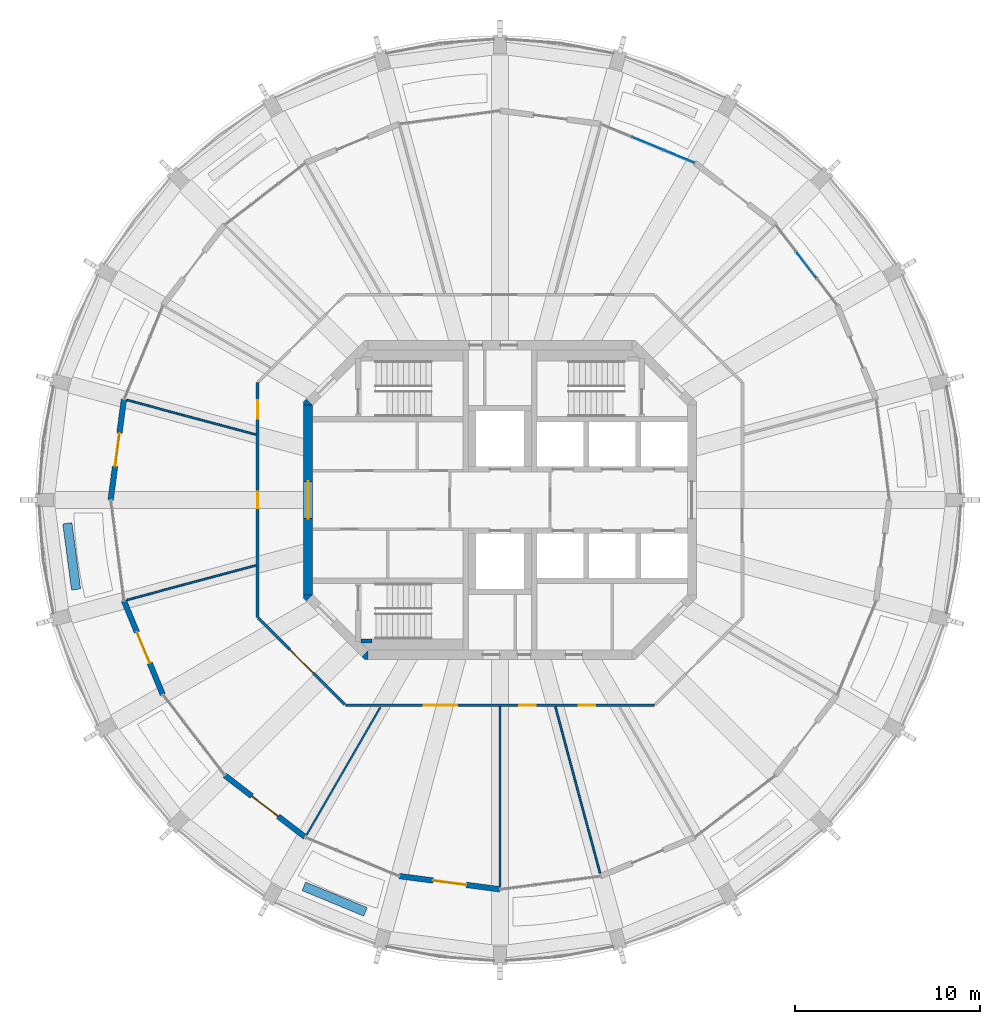
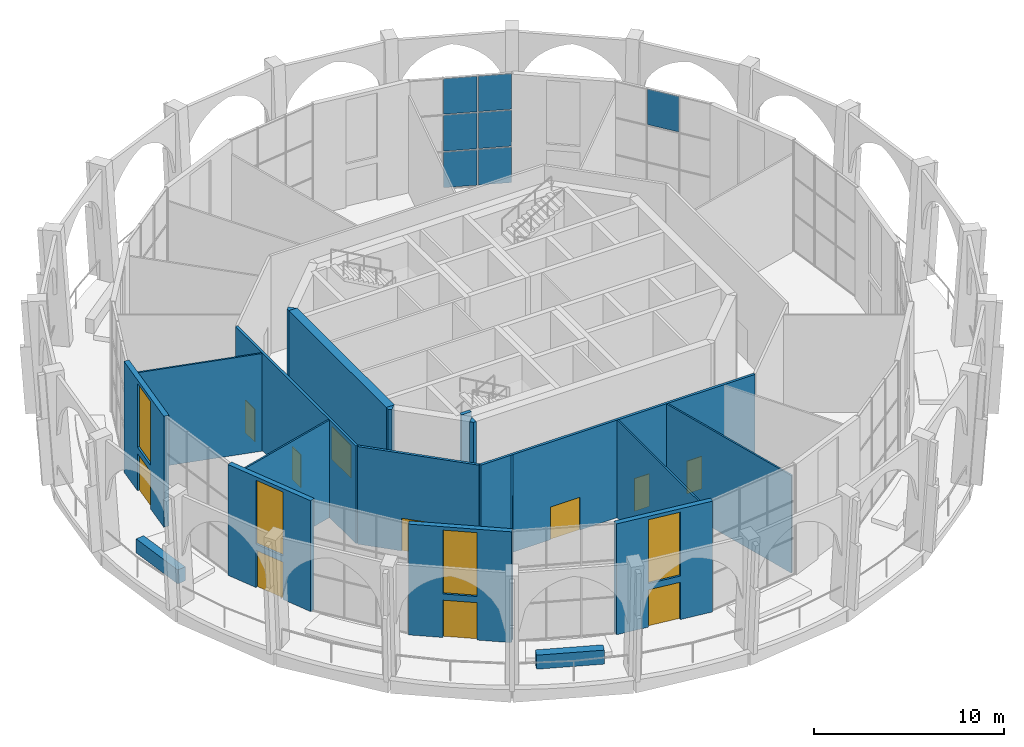
# One storey, part 10 of 17: 19 walls, 11 doors, 7 plates, 4 windows, 15 openings, 2 elements without a shape of their own.
"""IFC4 building model written with IfcOpenShell, lengths in metres."""

from ifc_helpers import new_model, si_unit, direction, frame, frame_2d, origin, origin_2d, place, context, subcontext, project, spatial, polyline, rectangle, outline, extrude, material, layer, layer_set, type_object, element, fill, aggregate, save


model = new_model("IFC4")

# Units and contexts
model_context = context("Model", 3, precision=1e-05, world=origin(), true_north=direction((0.0, 1.0)))
body_context = subcontext(model_context, "Body", "Model", "MODEL_VIEW")
ifc_project = project(units=[si_unit("LENGTHUNIT", "METRE"), si_unit("AREAUNIT", "SQUARE_METRE"), si_unit("VOLUMEUNIT", "CUBIC_METRE"), si_unit("PLANEANGLEUNIT", "RADIAN"), si_unit("MASSUNIT", "GRAM", prefix="KILO")], contexts=[model_context])

# Site, building, storey
site_placement = place(None, origin())
site = spatial("IfcSite", under=ifc_project, at=site_placement, CompositionType="ELEMENT")
building_placement = place(site_placement, origin())
building = spatial("IfcBuilding", under=site, at=building_placement, Name="Torre Triforio", CompositionType="ELEMENT")
storey_placement = place(building_placement, frame((0.0, 0.0, 276.0)))
storey = spatial("IfcBuildingStorey", under=building, at=storey_placement, Name="L64", CompositionType="ELEMENT", Elevation=276.0)

# Curtain wall, plate
ifc_material_1 = material(Name="Aluminium mullion and transom frame with clear laminated glass", Category="aluminium")
curtain_wall_type = type_object("IfcCurtainWallType", Name="Sky garden conservatory wall ECW3", PredefinedType="NOTDEFINED", material=ifc_material_1)
curtain_wall_1_placement = place(storey_placement, origin())
curtain_wall_1 = element("IfcCurtainWall", 1, at=curtain_wall_1_placement, inside=storey, type_object=curtain_wall_type, Name="Conservatory wall L64 bay 03", PredefinedType="NOTDEFINED")
ifc_material_2 = material(Name="Clear laminated glass", Category="glass")
ifc_layer_1 = layer(ifc_material_2, 0.028076171875)
ifc_layer_set_1 = layer_set([ifc_layer_1], Name="Clear laminated glass")
plate_type = type_object("IfcPlateType", Name="ECW3 glass panel 28", PredefinedType="CURTAIN_PANEL", material=ifc_layer_set_1)
plate_1_placement = place(storey_placement, frame((16.517822265625, 12.674560546875, 4.77685546875), z_axis=(0.0, 0.0, 1.0), x_axis=(-0.608763325538, 0.793351885029, 0.0)))
plate_1 = element("IfcPlate", 2, at=plate_1_placement, type_object=plate_type, Name="ECW3 panel 2.3", PredefinedType="CURTAIN_PANEL", context=body_context, shape_type="SweptSolid", body=[
    extrude(rectangle(XDim=1.787353515625, YDim=0.028076171875, at=origin_2d()), origin(), (0.0, 0.0, 1.0), 2.283203125),
])
aggregate(curtain_wall_1, [plate_1])

# Curtain wall, plates
curtain_wall_2_placement = place(storey_placement, origin())
curtain_wall_2 = element("IfcCurtainWall", 3, at=curtain_wall_2_placement, inside=storey, type_object=curtain_wall_type, Name="Conservatory wall L64 bay 05", PredefinedType="NOTDEFINED")
plate_2_placement = place(storey_placement, frame((9.660400390625, 18.534423828125, 0.06005859375), z_axis=(0.0, 0.0, 1.0), x_axis=(-0.923883122974, 0.382674764107, 0.0)))
plate_2 = element("IfcPlate", 4, at=plate_2_placement, type_object=plate_type, Name="ECW3 panel 1.1", PredefinedType="CURTAIN_PANEL", context=body_context, shape_type="SweptSolid", body=[
    extrude(rectangle(XDim=1.75732421875, YDim=0.028076171875, at=origin_2d()), origin(), (0.0, 0.0, 1.0), 2.283203125),
])
plate_3_placement = place(storey_placement, frame((9.660400390625, 18.534423828125, 2.4033203125), z_axis=(0.0, 0.0, 1.0), x_axis=(-0.923883122974, 0.382674764107, 0.0)))
plate_3 = element("IfcPlate", 5, at=plate_3_placement, type_object=plate_type, Name="ECW3 panel 1.2", PredefinedType="CURTAIN_PANEL", context=body_context, shape_type="SweptSolid", body=[
    extrude(rectangle(XDim=1.75732421875, YDim=0.028076171875, at=origin_2d()), origin(), (0.0, 0.0, 1.0), 2.3134765625),
])
plate_4_placement = place(storey_placement, frame((9.660400390625, 18.534423828125, 4.77685546875), z_axis=(0.0, 0.0, 1.0), x_axis=(-0.923883122974, 0.382674764107, 0.0)))
plate_4 = element("IfcPlate", 6, at=plate_4_placement, type_object=plate_type, Name="ECW3 panel 1.3", PredefinedType="CURTAIN_PANEL", context=body_context, shape_type="SweptSolid", body=[
    extrude(rectangle(XDim=1.75732421875, YDim=0.028076171875, at=origin_2d()), origin(), (0.0, 0.0, 1.0), 2.283203125),
])
plate_5_placement = place(storey_placement, frame((7.967529296875, 19.235595703125, 0.06005859375), z_axis=(0.0, 0.0, 1.0), x_axis=(-0.923883122974, 0.382674764107, 0.0)))
plate_5 = element("IfcPlate", 7, at=plate_5_placement, type_object=plate_type, Name="ECW3 panel 2.1", PredefinedType="CURTAIN_PANEL", context=body_context, shape_type="SweptSolid", body=[
    extrude(rectangle(XDim=1.787353515625, YDim=0.028076171875, at=origin_2d()), origin(), (0.0, 0.0, 1.0), 2.283203125),
])
plate_6_placement = place(storey_placement, frame((7.967529296875, 19.235595703125, 2.4033203125), z_axis=(0.0, 0.0, 1.0), x_axis=(-0.923883122974, 0.382674764107, 0.0)))
plate_6 = element("IfcPlate", 8, at=plate_6_placement, type_object=plate_type, Name="ECW3 panel 2.2", PredefinedType="CURTAIN_PANEL", context=body_context, shape_type="SweptSolid", body=[
    extrude(rectangle(XDim=1.787353515625, YDim=0.028076171875, at=origin_2d()), origin(), (0.0, 0.0, 1.0), 2.3134765625),
])
plate_7_placement = place(storey_placement, frame((7.967529296875, 19.235595703125, 4.77685546875), z_axis=(0.0, 0.0, 1.0), x_axis=(-0.923883122974, 0.382674764107, 0.0)))
plate_7 = element("IfcPlate", 9, at=plate_7_placement, type_object=plate_type, Name="ECW3 panel 2.3", PredefinedType="CURTAIN_PANEL", context=body_context, shape_type="SweptSolid", body=[
    extrude(rectangle(XDim=1.787353515625, YDim=0.028076171875, at=origin_2d()), origin(), (0.0, 0.0, 1.0), 2.283203125),
])
aggregate(curtain_wall_2, [plate_2, plate_3, plate_4, plate_5, plate_6, plate_7])

# Wall, opening, door
ifc_material_3 = material(Name="Concrete C40", Category="concrete")
ifc_layer_2 = layer(ifc_material_3, 0.5)
ifc_layer_set_2 = layer_set([ifc_layer_2], Name="Concrete C40")
wall_type_1 = type_object("IfcWallType", Name="Core wall 500 mm C40 EI 120", PredefinedType="SHEAR", material=ifc_layer_set_2)
wall_1_placement = place(storey_placement, frame((-10.35009765625, -5.1298828125, -0.280029296875), z_axis=(0.0, 0.0, 1.0), x_axis=(0.0, 1.0, 0.0)))
wall_1 = element("IfcWall", 10, at=wall_1_placement, inside=storey, type_object=wall_type_1, Name="Core wall", PredefinedType="SHEAR", context=body_context, shape_type="SweptSolid", body=[
    extrude(rectangle(XDim=10.259765625, YDim=0.5, at=frame_2d((5.1298828125, 0.0))), origin(), (0.0, 0.0, 1.0), 7.400146484375),
])
opening_1_placement = place(wall_1_placement, frame((4.1298828125, 0.0, 0.280029296875)))
opening_1 = element("IfcOpeningElement", 11, at=opening_1_placement, cuts=wall_1, Name="Opening W-RING", PredefinedType="OPENING", context=body_context, shape_type="SweptSolid", body=[
    extrude(rectangle(XDim=2.0, YDim=2.10009765625, at=frame_2d((1.0, 1.050048828125))), frame((0.0, 0.260009765625, 0.0), z_axis=(0.0, -1.0, 0.0), x_axis=(1.0, 0.0, 0.0)), (0.0, 0.0, 1.0), 0.52001953125),
])
ifc_material_4 = material(Name="Hollow metal fire door leaf")
door_type_1 = type_object("IfcDoorType", Name="Lobby door 2000 x 2100 EI 60", OperationType="DOUBLE_DOOR_SINGLE_SWING", PredefinedType="DOOR", material=ifc_material_4)
door_1_placement = place(opening_1_placement, origin())
door_1 = element("IfcDoor", 12, at=door_1_placement, inside=storey, type_object=door_type_1, Name="Core door W-RING", OperationType="DOUBLE_DOOR_SINGLE_SWING", OverallHeight=2.10009765625, OverallWidth=2.0, PredefinedType="DOOR", context=body_context, shape_type="SweptSolid", body=[
    extrude(rectangle(XDim=2.0, YDim=2.10009765625, at=frame_2d((1.0, 1.050048828125))), frame((0.0, 0.02490234375, 0.0), z_axis=(0.0, -1.0, 0.0), x_axis=(1.0, 0.0, 0.0)), (0.0, 0.0, 1.0), 0.050048828125),
])
fill(opening_1, door_1)

# Walls
wall_2_placement = place(storey_placement, frame((0.0, 0.0, -0.280029296875)))
element("IfcWall", 13, at=wall_2_placement, inside=storey, type_object=wall_type_1, Name="Core wall", PredefinedType="SHEAR", context=body_context, shape_type="SweptSolid", body=[
    extrude(outline(polyline([(-7.30712890625, -8.60009765625), (-7.45361328125, -8.45361328125), (-7.1298828125, -8.1298828125), (-7.1298828125, -8.60009765625), (-7.30712890625, -8.60009765625)])), origin(), (0.0, 0.0, 1.0), 7.400146484375),
])
wall_3_placement = place(storey_placement, frame((0.0, 0.0, -0.280029296875)))
element("IfcWall", 14, at=wall_3_placement, inside=storey, type_object=wall_type_1, Name="Core wall", PredefinedType="SHEAR", context=body_context, shape_type="SweptSolid", body=[
    extrude(outline(polyline([(-10.60009765625, -5.30712890625), (-10.60009765625, -5.1298828125), (-10.1298828125, -5.1298828125), (-10.45361328125, -5.45361328125), (-10.60009765625, -5.30712890625)])), origin(), (0.0, 0.0, 1.0), 7.400146484375),
])
wall_4_placement = place(storey_placement, frame((0.0, 0.0, -0.280029296875)))
element("IfcWall", 15, at=wall_4_placement, inside=storey, type_object=wall_type_1, Name="Core wall", PredefinedType="SHEAR", context=body_context, shape_type="SweptSolid", body=[
    extrude(outline(polyline([(-10.45361328125, 5.45361328125), (-10.1298828125, 5.1298828125), (-10.60009765625, 5.1298828125), (-10.60009765625, 5.30712890625), (-10.45361328125, 5.45361328125)])), origin(), (0.0, 0.0, 1.0), 7.400146484375),
])

# Wall, openings, doors
ifc_material_5 = material(Name="Plasterboard on metal studs")
ifc_layer_3 = layer(ifc_material_5, 0.14990234375)
ifc_layer_set_3 = layer_set([ifc_layer_3], Name="Plasterboard on metal studs")
wall_type_2 = type_object("IfcWallType", Name="Corridor and tenancy wall 150 mm EI 60", PredefinedType="PARTITIONING", material=ifc_layer_set_3)
wall_5_placement = place(storey_placement, frame((8.332275390625, -11.074951171875, 0.0), z_axis=(0.0, 0.0, 1.0), x_axis=(-1.0, 0.0, 0.0)))
wall_5 = element("IfcWall", 16, at=wall_5_placement, inside=storey, type_object=wall_type_2, Name="Partition 2", PredefinedType="PARTITIONING", context=body_context, shape_type="SweptSolid", body=[
    extrude(rectangle(XDim=16.66455078125, YDim=0.14990234375, at=frame_2d((8.332275390625, 0.0))), origin(), (0.0, 0.0, 1.0), 6.27001953125),
])
opening_2_placement = place(wall_5_placement, frame((10.63330078125, 0.0, 0.0)))
opening_2 = element("IfcOpeningElement", 17, at=opening_2_placement, cuts=wall_5, Name="Opening G4-02", PredefinedType="OPENING", context=body_context, shape_type="SweptSolid", body=[
    extrude(rectangle(XDim=1.800048828125, YDim=2.10009765625, at=frame_2d((0.89990234375, 1.050048828125))), frame((0.0, 0.0849609375, 0.0), z_axis=(0.0, -1.0, 0.0), x_axis=(1.0, 0.0, 0.0)), (0.0, 0.0, 1.0), 0.169921875),
])
opening_3_placement = place(wall_5_placement, frame((6.397705078125, 0.0, 0.0)))
opening_3 = element("IfcOpeningElement", 18, at=opening_3_placement, cuts=wall_5, Name="Opening G4-03", PredefinedType="OPENING", context=body_context, shape_type="SweptSolid", body=[
    extrude(rectangle(XDim=0.89990234375, YDim=2.10009765625, at=frame_2d((0.449951171875, 1.050048828125))), frame((0.0, 0.0849609375, 0.0), z_axis=(0.0, -1.0, 0.0), x_axis=(1.0, 0.0, 0.0)), (0.0, 0.0, 1.0), 0.169921875),
])
opening_4_placement = place(wall_5_placement, frame((3.197509765625, 0.0, 0.0)))
opening_4 = element("IfcOpeningElement", 19, at=opening_4_placement, cuts=wall_5, Name="Opening G4-04", PredefinedType="OPENING", context=body_context, shape_type="SweptSolid", body=[
    extrude(rectangle(XDim=0.89990234375, YDim=2.10009765625, at=frame_2d((0.449951171875, 1.050048828125))), frame((0.0, 0.0849609375, 0.0), z_axis=(0.0, -1.0, 0.0), x_axis=(1.0, 0.0, 0.0)), (0.0, 0.0, 1.0), 0.169921875),
])
ifc_material_6 = material(Name="Timber", Category="wood")
door_type_2 = type_object("IfcDoorType", Name="Door 1800 x 2100 double leaf EI 30", OperationType="DOUBLE_DOOR_SINGLE_SWING", PredefinedType="DOOR", material=ifc_material_6)
door_2_placement = place(opening_2_placement, origin())
door_2 = element("IfcDoor", 20, at=door_2_placement, inside=storey, type_object=door_type_2, Name="Door G4-02", OperationType="DOUBLE_DOOR_SINGLE_SWING", OverallHeight=2.10009765625, OverallWidth=1.800048828125, PredefinedType="DOOR", context=body_context, shape_type="SweptSolid", body=[
    extrude(rectangle(XDim=1.800048828125, YDim=2.10009765625, at=frame_2d((0.89990234375, 1.050048828125))), frame((0.0, 0.02490234375, 0.0), z_axis=(0.0, -1.0, 0.0), x_axis=(1.0, 0.0, 0.0)), (0.0, 0.0, 1.0), 0.050048828125),
])
fill(opening_2, door_2)
door_type_3 = type_object("IfcDoorType", Name="Door 900 x 2100 single leaf EI 30", OperationType="NOTDEFINED", PredefinedType="DOOR", material=ifc_material_6)
door_3_placement = place(opening_3_placement, origin())
door_3 = element("IfcDoor", 21, at=door_3_placement, inside=storey, type_object=door_type_3, Name="Door G4-03", OperationType="SINGLE_SWING_LEFT", OverallHeight=2.10009765625, OverallWidth=0.89990234375, PredefinedType="DOOR", context=body_context, shape_type="SweptSolid", body=[
    extrude(rectangle(XDim=0.89990234375, YDim=2.10009765625, at=frame_2d((0.449951171875, 1.050048828125))), frame((0.0, 0.02490234375, 0.0), z_axis=(0.0, -1.0, 0.0), x_axis=(1.0, 0.0, 0.0)), (0.0, 0.0, 1.0), 0.050048828125),
])
fill(opening_3, door_3)
door_4_placement = place(opening_4_placement, origin())
door_4 = element("IfcDoor", 22, at=door_4_placement, inside=storey, type_object=door_type_3, Name="Door G4-04", OperationType="SINGLE_SWING_RIGHT", OverallHeight=2.10009765625, OverallWidth=0.89990234375, PredefinedType="DOOR", context=body_context, shape_type="SweptSolid", body=[
    extrude(rectangle(XDim=0.89990234375, YDim=2.10009765625, at=frame_2d((0.449951171875, 1.050048828125))), frame((0.0, 0.02490234375, 0.0), z_axis=(0.0, -1.0, 0.0), x_axis=(1.0, 0.0, 0.0)), (0.0, 0.0, 1.0), 0.050048828125),
])
fill(opening_4, door_4)

# Wall, opening, door
wall_6_placement = place(storey_placement, frame((-8.369384765625, -11.037841796875, 0.0), z_axis=(0.0, 0.0, 1.0), x_axis=(-0.707106781187, 0.707106781187, 0.0)))
wall_6 = element("IfcWall", 23, at=wall_6_placement, inside=storey, type_object=wall_type_2, Name="Partition 3", PredefinedType="PARTITIONING", context=body_context, shape_type="SweptSolid", body=[
    extrude(rectangle(XDim=6.602294921875, YDim=0.14990234375, at=frame_2d((3.30126953125, 0.0))), origin(), (0.0, 0.0, 1.0), 6.27001953125),
])
opening_5_placement = place(wall_6_placement, frame((2.401123046875, 0.0, 0.0)))
opening_5 = element("IfcOpeningElement", 24, at=opening_5_placement, cuts=wall_6, Name="Opening G4-01", PredefinedType="OPENING", context=body_context, shape_type="SweptSolid", body=[
    extrude(rectangle(XDim=1.800048828125, YDim=2.10009765625, at=frame_2d((0.89990234375, 1.050048828125))), frame((0.0, 0.0849609375, 0.0), z_axis=(0.0, -1.0, 0.0), x_axis=(1.0, 0.0, 0.0)), (0.0, 0.0, 1.0), 0.169921875),
])
door_5_placement = place(opening_5_placement, origin())
door_5 = element("IfcDoor", 25, at=door_5_placement, inside=storey, type_object=door_type_2, Name="Door G4-01", OperationType="DOUBLE_DOOR_SINGLE_SWING", OverallHeight=2.10009765625, OverallWidth=1.800048828125, PredefinedType="DOOR", context=body_context, shape_type="SweptSolid", body=[
    extrude(rectangle(XDim=1.800048828125, YDim=2.10009765625, at=frame_2d((0.89990234375, 1.050048828125))), frame((0.0, 0.02490234375, 0.0), z_axis=(0.0, -1.0, 0.0), x_axis=(1.0, 0.0, 0.0)), (0.0, 0.0, 1.0), 0.050048828125),
])
fill(opening_5, door_5)

# Wall, openings, doors
wall_7_placement = place(storey_placement, frame((-13.074951171875, -6.332275390625, 0.0), z_axis=(0.0, 0.0, 1.0), x_axis=(0.0, 1.0, 0.0)))
wall_7 = element("IfcWall", 26, at=wall_7_placement, inside=storey, type_object=wall_type_2, Name="Partition 4", PredefinedType="PARTITIONING", context=body_context, shape_type="SweptSolid", body=[
    extrude(rectangle(XDim=12.66455078125, YDim=0.14990234375, at=frame_2d((6.332275390625, 0.0))), origin(), (0.0, 0.0, 1.0), 6.27001953125),
])
opening_6_placement = place(wall_7_placement, frame((10.72509765625, 0.0, 0.0)))
opening_6 = element("IfcOpeningElement", 27, at=opening_6_placement, cuts=wall_7, Name="Opening G4-13", PredefinedType="OPENING", context=body_context, shape_type="SweptSolid", body=[
    extrude(rectangle(XDim=1.0, YDim=2.10009765625, at=frame_2d((0.5, 1.050048828125))), frame((0.0, 0.0849609375, 0.0), z_axis=(0.0, -1.0, 0.0), x_axis=(1.0, 0.0, 0.0)), (0.0, 0.0, 1.0), 0.169921875),
])
opening_7_placement = place(wall_7_placement, frame((5.88232421875, 0.0, 0.0)))
opening_7 = element("IfcOpeningElement", 28, at=opening_7_placement, cuts=wall_7, Name="Opening G4-14", PredefinedType="OPENING", context=body_context, shape_type="SweptSolid", body=[
    extrude(rectangle(XDim=0.89990234375, YDim=2.10009765625, at=frame_2d((0.449951171875, 1.050048828125))), frame((0.0, 0.0849609375, 0.0), z_axis=(0.0, -1.0, 0.0), x_axis=(1.0, 0.0, 0.0)), (0.0, 0.0, 1.0), 0.169921875),
])
door_type_4 = type_object("IfcDoorType", Name="Door 1000 x 2100 single leaf EI 30", OperationType="NOTDEFINED", PredefinedType="DOOR", material=ifc_material_6)
door_6_placement = place(opening_6_placement, origin())
door_6 = element("IfcDoor", 29, at=door_6_placement, inside=storey, type_object=door_type_4, Name="Door G4-13", OperationType="SINGLE_SWING_LEFT", OverallHeight=2.10009765625, OverallWidth=1.0, PredefinedType="DOOR", context=body_context, shape_type="SweptSolid", body=[
    extrude(rectangle(XDim=1.0, YDim=2.10009765625, at=frame_2d((0.5, 1.050048828125))), frame((0.0, 0.02490234375, 0.0), z_axis=(0.0, -1.0, 0.0), x_axis=(1.0, 0.0, 0.0)), (0.0, 0.0, 1.0), 0.050048828125),
])
fill(opening_6, door_6)
door_7_placement = place(opening_7_placement, origin())
door_7 = element("IfcDoor", 30, at=door_7_placement, inside=storey, type_object=door_type_3, Name="Door G4-14", OperationType="SINGLE_SWING_LEFT", OverallHeight=2.10009765625, OverallWidth=0.89990234375, PredefinedType="DOOR", context=body_context, shape_type="SweptSolid", body=[
    extrude(rectangle(XDim=0.89990234375, YDim=2.10009765625, at=frame_2d((0.449951171875, 1.050048828125))), frame((0.0, 0.02490234375, 0.0), z_axis=(0.0, -1.0, 0.0), x_axis=(1.0, 0.0, 0.0)), (0.0, 0.0, 1.0), 0.050048828125),
])
fill(opening_7, door_7)

# Walls
ifc_layer_4 = layer(ifc_material_5, 0.10009765625)
ifc_layer_set_4 = layer_set([ifc_layer_4], Name="Plasterboard on metal studs")
wall_type_3 = type_object("IfcWallType", Name="Partition 100 mm board on metal studs", PredefinedType="PARTITIONING", material=ifc_layer_set_4)
for number, where, z_axis, x_axis, name in (
    (31, (-13.164306640625, 3.52734375, 0.0), (0.0, 0.0, 1.0), (-0.965929002199, 0.258807192153, 0.0), "Partition 16"),
    (32, (-13.164306640625, -3.52734375, 0.0), (0.0, 0.0, 1.0), (-0.965929002199, -0.258807192153, 0.0), "Partition 17"),
):
    element("IfcWall", number, at=place(storey_placement, frame(where, z_axis=z_axis, x_axis=x_axis)), inside=storey, type_object=wall_type_3, Name=name, PredefinedType="PARTITIONING", context=body_context, shape_type="SweptSolid", body=[
        extrude(rectangle(XDim=7.2080078125, YDim=0.10009765625, at=frame_2d((3.60400390625, 0.0))), origin(), (0.0, 0.0, 1.0), 6.27001953125),
    ])
wall_8_placement = place(storey_placement, frame((-6.45166015625, -11.174560546875, 0.0), z_axis=(0.0, 0.0, 1.0), x_axis=(-0.50000481735, -0.866022622468, 0.0)))
element("IfcWall", 33, at=wall_8_placement, inside=storey, type_object=wall_type_3, Name="Partition 18", PredefinedType="PARTITIONING", context=body_context, shape_type="SweptSolid", body=[
    extrude(rectangle(XDim=7.93359375, YDim=0.10009765625, at=frame_2d((3.966796875, 0.0))), origin(), (0.0, 0.0, 1.0), 6.27001953125),
])
wall_9_placement = place(storey_placement, frame((0.0, -11.14990234375, 0.0), z_axis=(0.0, 0.0, 1.0), x_axis=(0.0, -1.0, 0.0)))
element("IfcWall", 34, at=wall_9_placement, inside=storey, type_object=wall_type_3, Name="Partition 19", PredefinedType="PARTITIONING", context=body_context, shape_type="SweptSolid", body=[
    extrude(rectangle(XDim=9.686767578125, YDim=0.10009765625, at=frame_2d((4.84326171875, 0.0))), origin(), (0.0, 0.0, 1.0), 6.27001953125),
])
wall_10_placement = place(storey_placement, frame((2.991455078125, -11.164306640625, 0.0), z_axis=(0.0, 0.0, 1.0), x_axis=(0.258808860497, -0.965928555188, 0.0)))
element("IfcWall", 35, at=wall_10_placement, inside=storey, type_object=wall_type_3, Name="Partition 20", PredefinedType="PARTITIONING", context=body_context, shape_type="SweptSolid", body=[
    extrude(rectangle(XDim=9.278564453125, YDim=0.10009765625, at=frame_2d((4.63916015625, 0.0))), origin(), (0.0, 0.0, 1.0), 6.27001953125),
])
ifc_material_7 = material(Name="Limestone cladding", Category="masonry")
ifc_layer_5 = layer(ifc_material_7, 0.10009765625)
ifc_layer_6 = layer(ifc_material_3, 0.39990234375)
ifc_layer_set_5 = layer_set([ifc_layer_5, ifc_layer_6], Name="Limestone cladding / Concrete C40")
wall_type_4 = type_object("IfcWallType", Name="Planter wall 500", PredefinedType="PARAPET", material=ifc_layer_set_5)
for number, where, z_axis, x_axis, name in (
    (36, (-23.335693359375, -1.256591796875, 0.0), (0.0, 0.0, 1.0), (0.130542222659, -0.991442750795, 0.0), "Planter L64 bay 13"),
    (37, (-10.57958984375, -20.837646484375, 0.0), (0.0, 0.0, 1.0), (0.923909393783, -0.382611332921, 0.0), "Planter L64 bay 17"),
):
    element("IfcWall", number, at=place(storey_placement, frame(where, z_axis=z_axis, x_axis=x_axis)), inside=storey, type_object=wall_type_4, Name=name, PredefinedType="PARAPET", context=body_context, shape_type="SweptSolid", body=[
        extrude(rectangle(XDim=3.60009765625, YDim=0.5, at=frame_2d((1.800048828125, 0.0))), origin(), (0.0, 0.0, 1.0), 0.89990234375),
    ])
ifc_layer_7 = layer(ifc_material_3, 0.199951171875)
ifc_layer_set_6 = layer_set([ifc_layer_7], Name="Concrete C40")
wall_type_5 = type_object("IfcWallType", Name="Stair wall 200 mm C40 EI 120", PredefinedType="SHEAR", material=ifc_layer_set_6)
wall_11_placement = place(storey_placement, frame((-7.5, -7.60009765625, 0.0), z_axis=(0.0, 0.0, 1.0), x_axis=(1.0, 0.0, 0.0)))
element("IfcWall", 38, at=wall_11_placement, inside=storey, type_object=wall_type_5, Name="Stair wall", PredefinedType="SHEAR", context=body_context, shape_type="SweptSolid", body=[
    extrude(rectangle(XDim=0.60009765625, YDim=0.199951171875, at=frame_2d((0.300048828125, 0.0))), origin(), (0.0, 0.0, 1.0), 7.1201171875),
])

# Wall, openings, window, door
ifc_layer_8 = layer(ifc_material_7, 0.10009765625)
ifc_layer_9 = layer(ifc_material_3, 0.199951171875)
ifc_layer_set_7 = layer_set([ifc_layer_8, ifc_layer_9], Name="Limestone cladding / Concrete C40")
wall_type_6 = type_object("IfcWallType", Name="Stone-faced composite wall 300", PredefinedType="STANDARD", material=ifc_layer_set_7)
wall_12_placement = place(storey_placement, frame((-20.284423828125, 5.435302734375, 0.0), z_axis=(0.0, 0.0, 1.0), x_axis=(-0.130527087244, -0.991444743541, 0.0)))
wall_12 = element("IfcWall", 39, at=wall_12_placement, inside=storey, type_object=wall_type_6, Name="External wall L64 bay 12", PredefinedType="STANDARD", context=body_context, shape_type="SweptSolid", body=[
    extrude(rectangle(XDim=5.482177734375, YDim=0.300048828125, at=frame_2d((2.7412109375, 0.0))), origin(), (0.0, 0.0, 1.0), 7.1201171875),
])
opening_8_placement = place(wall_12_placement, frame((1.841064453125, 0.0, 0.0)))
opening_8 = element("IfcOpeningElement", 40, at=opening_8_placement, cuts=wall_12, Name="Opening G4-D12", PredefinedType="OPENING", context=body_context, shape_type="SweptSolid", body=[
    extrude(rectangle(XDim=1.800048828125, YDim=2.39990234375, at=frame_2d((0.89990234375, 1.199951171875))), frame((0.0, 0.159912109375, 0.0), z_axis=(0.0, -1.0, 0.0), x_axis=(1.0, 0.0, 0.0)), (0.0, 0.0, 1.0), 0.320068359375),
])
opening_9_placement = place(wall_12_placement, frame((1.841064453125, 0.0, 2.800048828125)))
opening_9 = element("IfcOpeningElement", 41, at=opening_9_placement, cuts=wall_12, Name="Opening G4-W12", PredefinedType="OPENING", context=body_context, shape_type="SweptSolid", body=[
    extrude(rectangle(XDim=1.800048828125, YDim=4.10009765625, at=frame_2d((0.89990234375, 2.050048828125))), frame((0.0, 0.159912109375, 0.0), z_axis=(0.0, -1.0, 0.0), x_axis=(1.0, 0.0, 0.0)), (0.0, 0.0, 1.0), 0.320068359375),
])
ifc_material_8 = material(Name="Aluminium frame with clear double glazing", Category="aluminium")
window_type = type_object("IfcWindowType", Name="Garden clerestory window 1800 x 4100", PartitioningType="DOUBLE_PANEL_VERTICAL", PredefinedType="WINDOW", material=ifc_material_8)
window_1_placement = place(opening_9_placement, origin())
window_1 = element("IfcWindow", 42, at=window_1_placement, inside=storey, type_object=window_type, Name="Clerestory EWN22 L64 bay 12", OverallHeight=4.10009765625, OverallWidth=1.800048828125, PartitioningType="SINGLE_PANEL", PredefinedType="WINDOW", context=body_context, shape_type="SweptSolid", body=[
    extrude(rectangle(XDim=1.800048828125, YDim=4.10009765625, at=frame_2d((0.89990234375, 2.050048828125))), frame((0.0, 0.030029296875, 0.0), z_axis=(0.0, -1.0, 0.0), x_axis=(1.0, 0.0, 0.0)), (0.0, 0.0, 1.0), 0.06005859375),
])
fill(opening_9, window_1)
door_type_5 = type_object("IfcDoorType", Name="Terrace double door 1800 x 2400", OperationType="DOUBLE_DOOR_SINGLE_SWING", PredefinedType="DOOR", material=ifc_material_8)
door_8_placement = place(opening_8_placement, origin())
door_8 = element("IfcDoor", 43, at=door_8_placement, inside=storey, type_object=door_type_5, Name="Terrace door L64 bay 12", OperationType="SINGLE_SWING_LEFT", OverallHeight=2.39990234375, OverallWidth=1.800048828125, PredefinedType="DOOR", context=body_context, shape_type="SweptSolid", body=[
    extrude(rectangle(XDim=1.800048828125, YDim=2.39990234375, at=frame_2d((0.89990234375, 1.199951171875))), frame((0.0, 0.02490234375, 0.0), z_axis=(0.0, -1.0, 0.0), x_axis=(1.0, 0.0, 0.0)), (0.0, 0.0, 1.0), 0.050048828125),
])
fill(opening_8, door_8)

wall_13_placement = place(storey_placement, frame((-20.284423828125, -5.435302734375, 0.0), z_axis=(0.0, 0.0, 1.0), x_axis=(0.382688740813, -0.923877333662, 0.0)))
wall_13 = element("IfcWall", 44, at=wall_13_placement, inside=storey, type_object=wall_type_6, Name="External wall L64 bay 14", PredefinedType="STANDARD", context=body_context, shape_type="SweptSolid", body=[
    extrude(rectangle(XDim=5.48193359375, YDim=0.300048828125, at=frame_2d((2.740966796875, 0.0))), origin(), (0.0, 0.0, 1.0), 7.1201171875),
])
opening_10_placement = place(wall_13_placement, frame((1.841064453125, 0.0, 0.0)))
opening_10 = element("IfcOpeningElement", 45, at=opening_10_placement, cuts=wall_13, Name="Opening G4-D14", PredefinedType="OPENING", context=body_context, shape_type="SweptSolid", body=[
    extrude(rectangle(XDim=1.800048828125, YDim=2.39990234375, at=frame_2d((0.89990234375, 1.199951171875))), frame((0.0, 0.159912109375, 0.0), z_axis=(0.0, -1.0, 0.0), x_axis=(1.0, 0.0, 0.0)), (0.0, 0.0, 1.0), 0.320068359375),
])
opening_11_placement = place(wall_13_placement, frame((1.841064453125, 0.0, 2.800048828125)))
opening_11 = element("IfcOpeningElement", 46, at=opening_11_placement, cuts=wall_13, Name="Opening G4-W14", PredefinedType="OPENING", context=body_context, shape_type="SweptSolid", body=[
    extrude(rectangle(XDim=1.800048828125, YDim=4.10009765625, at=frame_2d((0.89990234375, 2.050048828125))), frame((0.0, 0.159912109375, 0.0), z_axis=(0.0, -1.0, 0.0), x_axis=(1.0, 0.0, 0.0)), (0.0, 0.0, 1.0), 0.320068359375),
])
window_2_placement = place(opening_11_placement, origin())
window_2 = element("IfcWindow", 47, at=window_2_placement, inside=storey, type_object=window_type, Name="Clerestory EWN22 L64 bay 14", OverallHeight=4.10009765625, OverallWidth=1.800048828125, PartitioningType="SINGLE_PANEL", PredefinedType="WINDOW", context=body_context, shape_type="SweptSolid", body=[
    extrude(rectangle(XDim=1.800048828125, YDim=4.10009765625, at=frame_2d((0.89990234375, 2.050048828125))), frame((0.0, 0.030029296875, 0.0), z_axis=(0.0, -1.0, 0.0), x_axis=(1.0, 0.0, 0.0)), (0.0, 0.0, 1.0), 0.06005859375),
])
fill(opening_11, window_2)
door_9_placement = place(opening_10_placement, origin())
door_9 = element("IfcDoor", 48, at=door_9_placement, inside=storey, type_object=door_type_5, Name="Terrace door L64 bay 14", OperationType="SINGLE_SWING_LEFT", OverallHeight=2.39990234375, OverallWidth=1.800048828125, PredefinedType="DOOR", context=body_context, shape_type="SweptSolid", body=[
    extrude(rectangle(XDim=1.800048828125, YDim=2.39990234375, at=frame_2d((0.89990234375, 1.199951171875))), frame((0.0, 0.02490234375, 0.0), z_axis=(0.0, -1.0, 0.0), x_axis=(1.0, 0.0, 0.0)), (0.0, 0.0, 1.0), 0.050048828125),
])
fill(opening_10, door_9)

wall_14_placement = place(storey_placement, frame((-14.84912109375, -14.84912109375, 0.0), z_axis=(0.0, 0.0, 1.0), x_axis=(0.793335336593, -0.608784891166, 0.0)))
wall_14 = element("IfcWall", 49, at=wall_14_placement, inside=storey, type_object=wall_type_6, Name="External wall L64 bay 16", PredefinedType="STANDARD", context=body_context, shape_type="SweptSolid", body=[
    extrude(rectangle(XDim=5.482177734375, YDim=0.300048828125, at=frame_2d((2.7412109375, 0.0))), origin(), (0.0, 0.0, 1.0), 7.1201171875),
])
opening_12_placement = place(wall_14_placement, frame((1.841064453125, 0.0, 0.0)))
opening_12 = element("IfcOpeningElement", 50, at=opening_12_placement, cuts=wall_14, Name="Opening G4-D16", PredefinedType="OPENING", context=body_context, shape_type="SweptSolid", body=[
    extrude(rectangle(XDim=1.800048828125, YDim=2.39990234375, at=frame_2d((0.89990234375, 1.199951171875))), frame((0.0, 0.159912109375, 0.0), z_axis=(0.0, -1.0, 0.0), x_axis=(1.0, 0.0, 0.0)), (0.0, 0.0, 1.0), 0.320068359375),
])
opening_13_placement = place(wall_14_placement, frame((1.841064453125, 0.0, 2.800048828125)))
opening_13 = element("IfcOpeningElement", 51, at=opening_13_placement, cuts=wall_14, Name="Opening G4-W16", PredefinedType="OPENING", context=body_context, shape_type="SweptSolid", body=[
    extrude(rectangle(XDim=1.800048828125, YDim=4.10009765625, at=frame_2d((0.89990234375, 2.050048828125))), frame((0.0, 0.159912109375, 0.0), z_axis=(0.0, -1.0, 0.0), x_axis=(1.0, 0.0, 0.0)), (0.0, 0.0, 1.0), 0.320068359375),
])
window_3_placement = place(opening_13_placement, origin())
window_3 = element("IfcWindow", 52, at=window_3_placement, inside=storey, type_object=window_type, Name="Clerestory EWN22 L64 bay 16", OverallHeight=4.10009765625, OverallWidth=1.800048828125, PartitioningType="SINGLE_PANEL", PredefinedType="WINDOW", context=body_context, shape_type="SweptSolid", body=[
    extrude(rectangle(XDim=1.800048828125, YDim=4.10009765625, at=frame_2d((0.89990234375, 2.050048828125))), frame((0.0, 0.030029296875, 0.0), z_axis=(0.0, -1.0, 0.0), x_axis=(1.0, 0.0, 0.0)), (0.0, 0.0, 1.0), 0.06005859375),
])
fill(opening_13, window_3)
door_10_placement = place(opening_12_placement, origin())
door_10 = element("IfcDoor", 53, at=door_10_placement, inside=storey, type_object=door_type_5, Name="Terrace door L64 bay 16", OperationType="SINGLE_SWING_LEFT", OverallHeight=2.39990234375, OverallWidth=1.800048828125, PredefinedType="DOOR", context=body_context, shape_type="SweptSolid", body=[
    extrude(rectangle(XDim=1.800048828125, YDim=2.39990234375, at=frame_2d((0.89990234375, 1.199951171875))), frame((0.0, 0.02490234375, 0.0), z_axis=(0.0, -1.0, 0.0), x_axis=(1.0, 0.0, 0.0)), (0.0, 0.0, 1.0), 0.050048828125),
])
fill(opening_12, door_10)

wall_15_placement = place(storey_placement, frame((-5.435302734375, -20.284423828125, 0.0), z_axis=(0.0, 0.0, 1.0), x_axis=(0.991444743541, -0.130527087244, 0.0)))
wall_15 = element("IfcWall", 54, at=wall_15_placement, inside=storey, type_object=wall_type_6, Name="External wall L64 bay 18", PredefinedType="STANDARD", context=body_context, shape_type="SweptSolid", body=[
    extrude(rectangle(XDim=5.482177734375, YDim=0.300048828125, at=frame_2d((2.7412109375, 0.0))), origin(), (0.0, 0.0, 1.0), 7.1201171875),
])
opening_14_placement = place(wall_15_placement, frame((1.841064453125, 0.0, 0.0)))
opening_14 = element("IfcOpeningElement", 55, at=opening_14_placement, cuts=wall_15, Name="Opening G4-D18", PredefinedType="OPENING", context=body_context, shape_type="SweptSolid", body=[
    extrude(rectangle(XDim=1.800048828125, YDim=2.39990234375, at=frame_2d((0.89990234375, 1.199951171875))), frame((0.0, 0.159912109375, 0.0), z_axis=(0.0, -1.0, 0.0), x_axis=(1.0, 0.0, 0.0)), (0.0, 0.0, 1.0), 0.320068359375),
])
opening_15_placement = place(wall_15_placement, frame((1.841064453125, 0.0, 2.800048828125)))
opening_15 = element("IfcOpeningElement", 56, at=opening_15_placement, cuts=wall_15, Name="Opening G4-W18", PredefinedType="OPENING", context=body_context, shape_type="SweptSolid", body=[
    extrude(rectangle(XDim=1.800048828125, YDim=4.10009765625, at=frame_2d((0.89990234375, 2.050048828125))), frame((0.0, 0.159912109375, 0.0), z_axis=(0.0, -1.0, 0.0), x_axis=(1.0, 0.0, 0.0)), (0.0, 0.0, 1.0), 0.320068359375),
])
window_4_placement = place(opening_15_placement, origin())
window_4 = element("IfcWindow", 57, at=window_4_placement, inside=storey, type_object=window_type, Name="Clerestory EWN22 L64 bay 18", OverallHeight=4.10009765625, OverallWidth=1.800048828125, PartitioningType="SINGLE_PANEL", PredefinedType="WINDOW", context=body_context, shape_type="SweptSolid", body=[
    extrude(rectangle(XDim=1.800048828125, YDim=4.10009765625, at=frame_2d((0.89990234375, 2.050048828125))), frame((0.0, 0.030029296875, 0.0), z_axis=(0.0, -1.0, 0.0), x_axis=(1.0, 0.0, 0.0)), (0.0, 0.0, 1.0), 0.06005859375),
])
fill(opening_15, window_4)
door_11_placement = place(opening_14_placement, origin())
door_11 = element("IfcDoor", 58, at=door_11_placement, inside=storey, type_object=door_type_5, Name="Terrace door L64 bay 18", OperationType="SINGLE_SWING_LEFT", OverallHeight=2.39990234375, OverallWidth=1.800048828125, PredefinedType="DOOR", context=body_context, shape_type="SweptSolid", body=[
    extrude(rectangle(XDim=1.800048828125, YDim=2.39990234375, at=frame_2d((0.89990234375, 1.199951171875))), frame((0.0, 0.02490234375, 0.0), z_axis=(0.0, -1.0, 0.0), x_axis=(1.0, 0.0, 0.0)), (0.0, 0.0, 1.0), 0.050048828125),
])
fill(opening_14, door_11)

save(model, "model.ifc")
